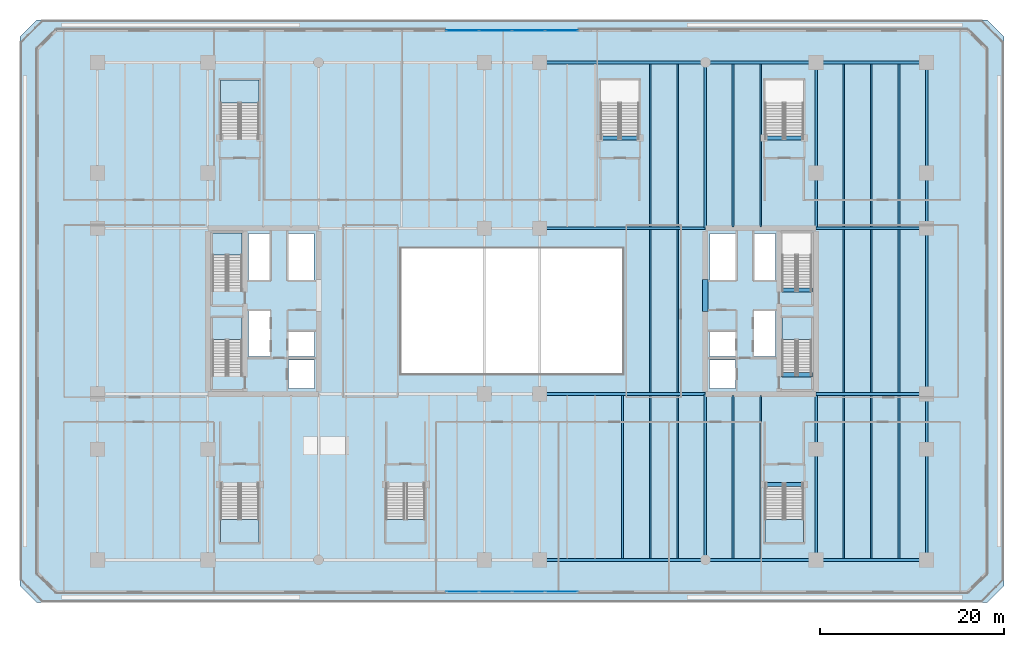
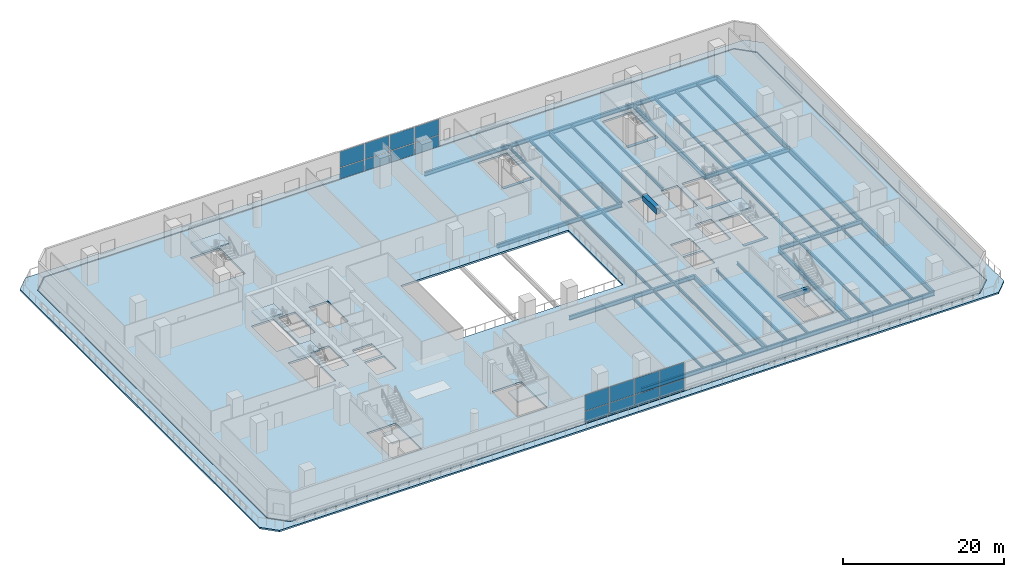
# One storey, part 8 of 27: 43 beams, 16 plates, 9 slabs, 9 elements without a shape of their own.
"""IFC4 building model written with IfcOpenShell, lengths in metres."""

from ifc_helpers import new_model, si_unit, direction, frame, origin, origin_2d, place, context, subcontext, project, spatial, polyline, rectangle, i_section, outline, extrude, material, layer, layer_set, material_profile, profile_set, type_object, element, aggregate, save


model = new_model("IFC4")

# Units and contexts
model_context = context("Model", 3, precision=1e-05, world=origin(), true_north=direction((0.0, 1.0)))
body_context = subcontext(model_context, "Body", "Model", "MODEL_VIEW")
ifc_project = project(units=[si_unit("LENGTHUNIT", "METRE"), si_unit("AREAUNIT", "SQUARE_METRE"), si_unit("VOLUMEUNIT", "CUBIC_METRE"), si_unit("PLANEANGLEUNIT", "RADIAN"), si_unit("MASSUNIT", "GRAM", prefix="KILO")], contexts=[model_context])

# Site, building, storey
site_placement = place(None, origin())
site = spatial("IfcSite", under=ifc_project, at=site_placement, CompositionType="ELEMENT")
building_placement = place(site_placement, origin())
building = spatial("IfcBuilding", under=site, at=building_placement, Name="Tanjung Sevakor Pilgrim Tower", CompositionType="ELEMENT")
storey_placement = place(building_placement, frame((0.0, 0.0, 14.85009765625)))
storey = spatial("IfcBuildingStorey", under=building, at=storey_placement, Name="L04", CompositionType="ELEMENT", Elevation=14.85009765625)

# Beams
ifc_material_1 = material(Name="Steel S355J2", Category="steel")
ifc_material_profile_1 = material_profile(ifc_material_1, i_section(OverallWidth=0.26806640625, OverallDepth=0.769775390625, WebThickness=0.015625, FlangeThickness=0.025390625, FilletRadius=0.0166015625, at=origin_2d()))
ifc_profile_set_1 = profile_set([ifc_material_profile_1], Name="Steel S355J2")
beam_type_1 = type_object("IfcBeamType", Name="BM-B-G1-UB_762x267x197", PredefinedType="BEAM", material=ifc_profile_set_1)
for number, where, z_axis, x_axis, name in (
    (1, (78.0, 6.60009765625, -0.6650390625), (0.0, 1.0, 0.0), (-1.0, 0.0, 0.0), "L04 Podium Girder NS X78-1"),
    (2, (78.0, 42.60009765625, -0.6650390625), (0.0, 1.0, 0.0), (-1.0, 0.0, 0.0), "L04 Podium Girder NS X78-2"),
    (3, (90.0, 6.60009765625, -0.6650390625), (0.0, 1.0, 0.0), (-1.0, 0.0, 0.0), "L04 Podium Girder NS X90-1"),
    (4, (90.0, 42.60009765625, -0.6650390625), (0.0, 1.0, 0.0), (-1.0, 0.0, 0.0), "L04 Podium Girder NS X90-2"),
    (5, (102.0, 6.60009765625, -0.6650390625), (0.0, 1.0, 0.0), (-1.0, 0.0, 0.0), "L04 Podium Girder NS X102-1"),
    (6, (102.0, 24.60009765625, -0.6650390625), (0.0, 1.0, 0.0), (-1.0, 0.0, 0.0), "L04 Podium Girder NS X102-2"),
    (7, (102.0, 42.60009765625, -0.6650390625), (0.0, 1.0, 0.0), (-1.0, 0.0, 0.0), "L04 Podium Girder NS X102-3"),
):
    element("IfcBeam", number, at=place(storey_placement, frame(where, z_axis=z_axis, x_axis=x_axis)), inside=storey, type_object=beam_type_1, Name=name, PredefinedType="BEAM", context=body_context, shape_type="SweptSolid", body=[
        extrude(i_section(OverallWidth=0.26806640625, OverallDepth=0.769775390625, WebThickness=0.015625, FlangeThickness=0.025390625, FilletRadius=0.0166015625, at=origin_2d()), origin(), (0.0, 0.0, 1.0), 18.0),
    ])
ifc_material_2 = material(Name="Steel S355J2", Category="steel")
ifc_material_profile_2 = material_profile(ifc_material_2, i_section(OverallWidth=0.19140625, OverallDepth=0.4599609375, WebThickness=0.010009765625, FlangeThickness=0.01611328125, FilletRadius=0.01025390625, at=origin_2d()))
ifc_profile_set_2 = profile_set([ifc_material_profile_2], Name="Steel S355J2")
beam_type_2 = type_object("IfcBeamType", Name="BM-B-J2-UB_457x191x82", PredefinedType="JOIST", material=ifc_profile_set_2)
for number, where, z_axis, x_axis, name in (
    (8, (69.0, 6.75341796875, -0.510009765625), (0.0, 1.0, 0.0), (-1.0, 0.0, 0.0), "L04 Secondary Joist 031"),
    (9, (72.0, 6.75341796875, -0.510009765625), (0.0, 1.0, 0.0), (-1.0, 0.0, 0.0), "L04 Secondary Joist 032"),
    (10, (72.0, 24.75341796875, -0.510009765625), (0.0, 1.0, 0.0), (-1.0, 0.0, 0.0), "L04 Secondary Joist 033"),
    (11, (72.0, 42.75341796875, -0.510009765625), (0.0, 1.0, 0.0), (-1.0, 0.0, 0.0), "L04 Secondary Joist 034"),
    (12, (75.0, 6.75341796875, -0.510009765625), (0.0, 1.0, 0.0), (-1.0, 0.0, 0.0), "L04 Secondary Joist 035"),
    (13, (75.0, 24.75341796875, -0.510009765625), (0.0, 1.0, 0.0), (-1.0, 0.0, 0.0), "L04 Secondary Joist 036"),
    (14, (75.0, 42.75341796875, -0.510009765625), (0.0, 1.0, 0.0), (-1.0, 0.0, 0.0), "L04 Secondary Joist 037"),
    (15, (81.0, 6.75341796875, -0.510009765625), (0.0, 1.0, 0.0), (-1.0, 0.0, 0.0), "L04 Secondary Joist 038"),
    (16, (81.0, 42.75341796875, -0.510009765625), (0.0, 1.0, 0.0), (-1.0, 0.0, 0.0), "L04 Secondary Joist 039"),
    (17, (84.0, 6.75341796875, -0.510009765625), (0.0, 1.0, 0.0), (-1.0, 0.0, 0.0), "L04 Secondary Joist 040"),
    (18, (84.0, 42.75341796875, -0.510009765625), (0.0, 1.0, 0.0), (-1.0, 0.0, 0.0), "L04 Secondary Joist 041"),
    (19, (93.0, 6.75341796875, -0.510009765625), (0.0, 1.0, 0.0), (-1.0, 0.0, 0.0), "L04 Secondary Joist 042"),
    (20, (93.0, 24.75341796875, -0.510009765625), (0.0, 1.0, 0.0), (-1.0, 0.0, 0.0), "L04 Secondary Joist 043"),
    (21, (93.0, 42.75341796875, -0.510009765625), (0.0, 1.0, 0.0), (-1.0, 0.0, 0.0), "L04 Secondary Joist 044"),
    (22, (96.0, 6.75341796875, -0.510009765625), (0.0, 1.0, 0.0), (-1.0, 0.0, 0.0), "L04 Secondary Joist 045"),
    (23, (96.0, 24.75341796875, -0.510009765625), (0.0, 1.0, 0.0), (-1.0, 0.0, 0.0), "L04 Secondary Joist 046"),
    (24, (96.0, 42.75341796875, -0.510009765625), (0.0, 1.0, 0.0), (-1.0, 0.0, 0.0), "L04 Secondary Joist 047"),
    (25, (99.0, 6.75341796875, -0.510009765625), (0.0, 1.0, 0.0), (-1.0, 0.0, 0.0), "L04 Secondary Joist 048"),
    (26, (99.0, 24.75341796875, -0.510009765625), (0.0, 1.0, 0.0), (-1.0, 0.0, 0.0), "L04 Secondary Joist 049"),
    (27, (99.0, 42.75341796875, -0.510009765625), (0.0, 1.0, 0.0), (-1.0, 0.0, 0.0), "L04 Secondary Joist 050"),
):
    element("IfcBeam", number, at=place(storey_placement, frame(where, z_axis=z_axis, x_axis=x_axis)), inside=storey, type_object=beam_type_2, Name=name, PredefinedType="JOIST", context=body_context, shape_type="SweptSolid", body=[
        extrude(i_section(OverallWidth=0.19140625, OverallDepth=0.4599609375, WebThickness=0.010009765625, FlangeThickness=0.01611328125, FilletRadius=0.01025390625, at=origin_2d()), origin(), (0.0, 0.0, 1.0), 17.693115234375),
    ])
ifc_material_3 = material(Name="Concrete C60/75", Category="concrete")
ifc_material_profile_3 = material_profile(ifc_material_3, rectangle(XDim=0.60009765625, YDim=0.89990234375, at=origin_2d()))
ifc_profile_set_3 = profile_set([ifc_material_profile_3], Name="Concrete C60/75")
beam_type_3 = type_object("IfcBeamType", Name="BM-B-LN1-RC-BM_600x900", PredefinedType="LINTEL", material=ifc_profile_set_3)
beam_1_placement = place(storey_placement, frame((78.0, 33.550048828125, 3.889892578125), z_axis=(0.0, 1.0, 0.0), x_axis=(-1.0, 0.0, 0.0)))
element("IfcBeam", 28, at=beam_1_placement, inside=storey, type_object=beam_type_3, Name="L04 E Core Coupling Lintel", PredefinedType="LINTEL", context=body_context, shape_type="SweptSolid", body=[
    extrude(rectangle(XDim=0.60009765625, YDim=0.89990234375, at=origin_2d()), origin(), (0.0, 0.0, 1.0), 3.5),
])
ifc_material_4 = material(Name="Concrete C60/75", Category="concrete")
ifc_material_profile_4 = material_profile(ifc_material_4, rectangle(XDim=0.449951171875, YDim=0.699951171875, at=origin_2d()))
ifc_profile_set_4 = profile_set([ifc_material_profile_4], Name="Concrete C60/75")
beam_type_4 = type_object("IfcBeamType", Name="BM-B-LN3-RC-BM_450x700", PredefinedType="LINTEL", material=ifc_profile_set_4)
for number, where, z_axis, x_axis, name in (
    (29, (86.199951171875, 26.699951171875, -0.35009765625), (1.0, 0.0, 0.0), (0.0, 1.0, 0.0), "L04 TS-E1 Stair Threshold Beam"),
    (30, (86.199951171875, 35.89990234375, -0.35009765625), (1.0, 0.0, 0.0), (0.0, 1.0, 0.0), "L04 TS-E2 Stair Threshold Beam"),
):
    element("IfcBeam", number, at=place(storey_placement, frame(where, z_axis=z_axis, x_axis=x_axis)), inside=storey, type_object=beam_type_4, Name=name, PredefinedType="LINTEL", context=body_context, shape_type="SweptSolid", body=[
        extrude(rectangle(XDim=0.449951171875, YDim=0.699951171875, at=origin_2d()), origin(), (0.0, 0.0, 1.0), 3.400146484375),
    ])
for number, where, z_axis, x_axis, name in (
    (31, (66.5, 52.39990234375, -0.35009765625), (1.0, 0.0, 0.0), (0.0, 1.0, 0.0), "L04 PS-4 Stair Threshold Beam"),
    (32, (84.35009765625, 14.800048828125, -0.35009765625), (1.0, 0.0, 0.0), (0.0, 1.0, 0.0), "L04 PS-5 Stair Threshold Beam"),
    (33, (84.35009765625, 52.39990234375, -0.35009765625), (1.0, 0.0, 0.0), (0.0, 1.0, 0.0), "L04 PS-6 Stair Threshold Beam"),
):
    element("IfcBeam", number, at=place(storey_placement, frame(where, z_axis=z_axis, x_axis=x_axis)), inside=storey, type_object=beam_type_4, Name=name, PredefinedType="LINTEL", context=body_context, shape_type="SweptSolid", body=[
        extrude(rectangle(XDim=0.449951171875, YDim=0.699951171875, at=origin_2d()), origin(), (0.0, 0.0, 1.0), 4.39990234375),
    ])
ifc_material_5 = material(Name="Steel S355J2", Category="steel")
ifc_material_profile_5 = material_profile(ifc_material_5, i_section(OverallWidth=0.30712890625, OverallDepth=0.6201171875, WebThickness=0.01416015625, FlangeThickness=0.023681640625, FilletRadius=0.0166015625, at=origin_2d()))
ifc_profile_set_5 = profile_set([ifc_material_profile_5], Name="Steel S355J2")
beam_type_5 = type_object("IfcBeamType", Name="BM-B-POD5-UB_610x305x179", PredefinedType="BEAM", material=ifc_profile_set_5)
beam_2_placement = place(storey_placement, frame((60.0, 6.60009765625, -0.590087890625), z_axis=(1.0, 0.0, 0.0), x_axis=(0.0, 1.0, 0.0)))
element("IfcBeam", 34, at=beam_2_placement, inside=storey, type_object=beam_type_5, Name="L04 Podium Girder EW Y6.6-5", PredefinedType="BEAM", context=body_context, shape_type="SweptSolid", body=[
    extrude(i_section(OverallWidth=0.30712890625, OverallDepth=0.6201171875, WebThickness=0.01416015625, FlangeThickness=0.023681640625, FilletRadius=0.0166015625, at=origin_2d()), origin(), (0.0, 0.0, 1.0), 18.0),
])
for number, where, z_axis, x_axis, name in (
    (35, (78.0, 6.60009765625, -0.590087890625), (1.0, 0.0, 0.0), (0.0, 1.0, 0.0), "L04 Podium Girder EW Y6.6-6"),
    (36, (90.0, 6.60009765625, -0.590087890625), (1.0, 0.0, 0.0), (0.0, 1.0, 0.0), "L04 Podium Girder EW Y6.6-7"),
):
    element("IfcBeam", number, at=place(storey_placement, frame(where, z_axis=z_axis, x_axis=x_axis)), inside=storey, type_object=beam_type_5, Name=name, PredefinedType="BEAM", context=body_context, shape_type="SweptSolid", body=[
        extrude(i_section(OverallWidth=0.30712890625, OverallDepth=0.6201171875, WebThickness=0.01416015625, FlangeThickness=0.023681640625, FilletRadius=0.0166015625, at=origin_2d()), origin(), (0.0, 0.0, 1.0), 12.0),
    ])
beam_3_placement = place(storey_placement, frame((60.0, 24.60009765625, -0.590087890625), z_axis=(1.0, 0.0, 0.0), x_axis=(0.0, 1.0, 0.0)))
element("IfcBeam", 37, at=beam_3_placement, inside=storey, type_object=beam_type_5, Name="L04 Podium Girder EW Y24.6-4", PredefinedType="BEAM", context=body_context, shape_type="SweptSolid", body=[
    extrude(i_section(OverallWidth=0.30712890625, OverallDepth=0.6201171875, WebThickness=0.01416015625, FlangeThickness=0.023681640625, FilletRadius=0.0166015625, at=origin_2d()), origin(), (0.0, 0.0, 1.0), 18.0),
])
beam_4_placement = place(storey_placement, frame((90.0, 24.60009765625, -0.590087890625), z_axis=(1.0, 0.0, 0.0), x_axis=(0.0, 1.0, 0.0)))
element("IfcBeam", 38, at=beam_4_placement, inside=storey, type_object=beam_type_5, Name="L04 Podium Girder EW Y24.6-5", PredefinedType="BEAM", context=body_context, shape_type="SweptSolid", body=[
    extrude(i_section(OverallWidth=0.30712890625, OverallDepth=0.6201171875, WebThickness=0.01416015625, FlangeThickness=0.023681640625, FilletRadius=0.0166015625, at=origin_2d()), origin(), (0.0, 0.0, 1.0), 12.0),
])
beam_5_placement = place(storey_placement, frame((60.0, 42.60009765625, -0.590087890625), z_axis=(1.0, 0.0, 0.0), x_axis=(0.0, 1.0, 0.0)))
element("IfcBeam", 39, at=beam_5_placement, inside=storey, type_object=beam_type_5, Name="L04 Podium Girder EW Y42.6-4", PredefinedType="BEAM", context=body_context, shape_type="SweptSolid", body=[
    extrude(i_section(OverallWidth=0.30712890625, OverallDepth=0.6201171875, WebThickness=0.01416015625, FlangeThickness=0.023681640625, FilletRadius=0.0166015625, at=origin_2d()), origin(), (0.0, 0.0, 1.0), 18.0),
])
beam_6_placement = place(storey_placement, frame((90.0, 42.60009765625, -0.590087890625), z_axis=(1.0, 0.0, 0.0), x_axis=(0.0, 1.0, 0.0)))
element("IfcBeam", 40, at=beam_6_placement, inside=storey, type_object=beam_type_5, Name="L04 Podium Girder EW Y42.6-5", PredefinedType="BEAM", context=body_context, shape_type="SweptSolid", body=[
    extrude(i_section(OverallWidth=0.30712890625, OverallDepth=0.6201171875, WebThickness=0.01416015625, FlangeThickness=0.023681640625, FilletRadius=0.0166015625, at=origin_2d()), origin(), (0.0, 0.0, 1.0), 12.0),
])
beam_7_placement = place(storey_placement, frame((60.0, 60.60009765625, -0.590087890625), z_axis=(1.0, 0.0, 0.0), x_axis=(0.0, 1.0, 0.0)))
element("IfcBeam", 41, at=beam_7_placement, inside=storey, type_object=beam_type_5, Name="L04 Podium Girder EW Y60.6-5", PredefinedType="BEAM", context=body_context, shape_type="SweptSolid", body=[
    extrude(i_section(OverallWidth=0.30712890625, OverallDepth=0.6201171875, WebThickness=0.01416015625, FlangeThickness=0.023681640625, FilletRadius=0.0166015625, at=origin_2d()), origin(), (0.0, 0.0, 1.0), 18.0),
])
for number, where, z_axis, x_axis, name in (
    (42, (78.0, 60.60009765625, -0.590087890625), (1.0, 0.0, 0.0), (0.0, 1.0, 0.0), "L04 Podium Girder EW Y60.6-6"),
    (43, (90.0, 60.60009765625, -0.590087890625), (1.0, 0.0, 0.0), (0.0, 1.0, 0.0), "L04 Podium Girder EW Y60.6-7"),
):
    element("IfcBeam", number, at=place(storey_placement, frame(where, z_axis=z_axis, x_axis=x_axis)), inside=storey, type_object=beam_type_5, Name=name, PredefinedType="BEAM", context=body_context, shape_type="SweptSolid", body=[
        extrude(i_section(OverallWidth=0.30712890625, OverallDepth=0.6201171875, WebThickness=0.01416015625, FlangeThickness=0.023681640625, FilletRadius=0.0166015625, at=origin_2d()), origin(), (0.0, 0.0, 1.0), 12.0),
    ])

# Stair, slab
ifc_material_6 = material(Name="Concrete C40/50", Category="concrete")
stair_type_1 = type_object("IfcStairType", Name="STAIR-ST-CR150", PredefinedType="HALF_TURN_STAIR", material=ifc_material_6)
stair_1_placement = place(storey_placement, origin())
stair_1 = element("IfcStair", 44, at=stair_1_placement, inside=storey, type_object=stair_type_1, Name="L04 West Core Exit Stair 1", PredefinedType="HALF_TURN_STAIR")
ifc_material_7 = material(Name="Concrete C40/50", Category="concrete")
ifc_layer_1 = layer(ifc_material_7, 0.199951171875)
ifc_layer_set_1 = layer_set([ifc_layer_1], Name="SL-LAND-200")
slab_type_1 = type_object("IfcSlabType", Name="SL-LAND-200", PredefinedType="LANDING", material=ifc_layer_set_1)
slab_1_placement = place(storey_placement, frame((0.0, 0.0, 2.10986328125)))
slab_1 = element("IfcSlab", 45, at=slab_1_placement, type_object=slab_type_1, Name="TS-W1 landing 1", PredefinedType="LANDING", context=body_context, shape_type="SweptSolid", body=[
    extrude(outline(polyline([(27.699951171875, 30.5), (27.699951171875, 32.89990234375), (24.5, 32.89990234375), (24.5, 30.5), (27.699951171875, 30.5)])), origin(), (0.0, 0.0, 1.0), 0.199951171875),
])
aggregate(stair_1, [slab_1])

stair_2_placement = place(storey_placement, origin())
stair_2 = element("IfcStair", 46, at=stair_2_placement, inside=storey, type_object=stair_type_1, Name="L04 West Core Exit Stair 2", PredefinedType="HALF_TURN_STAIR")
slab_2_placement = place(storey_placement, frame((0.0, 0.0, 2.10986328125)))
slab_2 = element("IfcSlab", 47, at=slab_2_placement, type_object=slab_type_1, Name="TS-W2 landing 1", PredefinedType="LANDING", context=body_context, shape_type="SweptSolid", body=[
    extrude(outline(polyline([(27.699951171875, 39.699951171875), (27.699951171875, 42.10009765625), (24.5, 42.10009765625), (24.5, 39.699951171875), (27.699951171875, 39.699951171875)])), origin(), (0.0, 0.0, 1.0), 0.199951171875),
])
aggregate(stair_2, [slab_2])

stair_3_placement = place(storey_placement, origin())
stair_3 = element("IfcStair", 48, at=stair_3_placement, inside=storey, type_object=stair_type_1, Name="L04 East Core Exit Stair 1", PredefinedType="HALF_TURN_STAIR")
slab_3_placement = place(storey_placement, frame((0.0, 0.0, 2.10986328125)))
slab_3 = element("IfcSlab", 49, at=slab_3_placement, type_object=slab_type_1, Name="TS-E1 landing 1", PredefinedType="LANDING", context=body_context, shape_type="SweptSolid", body=[
    extrude(outline(polyline([(89.5, 30.5), (89.5, 32.89990234375), (86.300048828125, 32.89990234375), (86.300048828125, 30.5), (89.5, 30.5)])), origin(), (0.0, 0.0, 1.0), 0.199951171875),
])
aggregate(stair_3, [slab_3])

ifc_material_8 = material(Name="Concrete C40/50", Category="concrete")
stair_type_2 = type_object("IfcStairType", Name="STAIR-ST-PD200", PredefinedType="HALF_TURN_STAIR", material=ifc_material_8)
stair_4_placement = place(storey_placement, origin())
stair_4 = element("IfcStair", 50, at=stair_4_placement, inside=storey, type_object=stair_type_2, Name="L04 Podium South-West Assembly Stair", PredefinedType="HALF_TURN_STAIR")
slab_4_placement = place(storey_placement, frame((0.0, 0.0, 2.10986328125)))
slab_4 = element("IfcSlab", 51, at=slab_4_placement, type_object=slab_type_1, Name="PS-1 landing 1", PredefinedType="LANDING", context=body_context, shape_type="SweptSolid", body=[
    extrude(outline(polyline([(25.35009765625, 11.0), (25.35009765625, 8.5), (29.550048828125, 8.5), (29.550048828125, 11.0), (25.35009765625, 11.0)])), origin(), (0.0, 0.0, 1.0), 0.199951171875),
])
aggregate(stair_4, [slab_4])

stair_5_placement = place(storey_placement, origin())
stair_5 = element("IfcStair", 52, at=stair_5_placement, inside=storey, type_object=stair_type_2, Name="L04 Podium North-West Assembly Stair", PredefinedType="HALF_TURN_STAIR")
slab_5_placement = place(storey_placement, frame((0.0, 0.0, 2.10986328125)))
slab_5 = element("IfcSlab", 53, at=slab_5_placement, type_object=slab_type_1, Name="PS-2 landing 1", PredefinedType="LANDING", context=body_context, shape_type="SweptSolid", body=[
    extrude(outline(polyline([(29.550048828125, 56.199951171875), (29.550048828125, 58.699951171875), (25.35009765625, 58.699951171875), (25.35009765625, 56.199951171875), (29.550048828125, 56.199951171875)])), origin(), (0.0, 0.0, 1.0), 0.199951171875),
])
aggregate(stair_5, [slab_5])

stair_6_placement = place(storey_placement, origin())
stair_6 = element("IfcStair", 54, at=stair_6_placement, inside=storey, type_object=stair_type_2, Name="L04 Podium South-Central Assembly Stair", PredefinedType="HALF_TURN_STAIR")
slab_6_placement = place(storey_placement, frame((0.0, 0.0, 2.10986328125)))
slab_6 = element("IfcSlab", 55, at=slab_6_placement, type_object=slab_type_1, Name="PS-3 landing 1", PredefinedType="LANDING", context=body_context, shape_type="SweptSolid", body=[
    extrude(outline(polyline([(43.35009765625, 11.0), (43.35009765625, 8.5), (47.550048828125, 8.5), (47.550048828125, 11.0), (43.35009765625, 11.0)])), origin(), (0.0, 0.0, 1.0), 0.199951171875),
])
aggregate(stair_6, [slab_6])

stair_7_placement = place(storey_placement, origin())
stair_7 = element("IfcStair", 56, at=stair_7_placement, inside=storey, type_object=stair_type_2, Name="L04 Podium South-East Assembly Stair", PredefinedType="HALF_TURN_STAIR")
slab_7_placement = place(storey_placement, frame((0.0, 0.0, 2.10986328125)))
slab_7 = element("IfcSlab", 57, at=slab_7_placement, type_object=slab_type_1, Name="PS-5 landing 1", PredefinedType="LANDING", context=body_context, shape_type="SweptSolid", body=[
    extrude(outline(polyline([(84.449951171875, 11.0), (84.449951171875, 8.5), (88.64990234375, 8.5), (88.64990234375, 11.0), (84.449951171875, 11.0)])), origin(), (0.0, 0.0, 1.0), 0.199951171875),
])
aggregate(stair_7, [slab_7])

# Slabs
ifc_material_9 = material(Name="Concrete C40/50", Category="concrete")
ifc_layer_2 = layer(ifc_material_9, 0.280029296875)
ifc_layer_set_2 = layer_set([ifc_layer_2], Name="SL-POD-280")
slab_type_2 = type_object("IfcSlabType", Name="SL-POD-280", PredefinedType="FLOOR", material=ifc_layer_set_2)
slab_8_placement = place(storey_placement, frame((0.0, 0.0, -0.280029296875)))
element("IfcSlab", 58, at=slab_8_placement, inside=storey, type_object=slab_type_2, Name="L04 Floor Slab MAIN", PredefinedType="FLOOR", context=body_context, shape_type="SweptSolid", body=[
    extrude(outline(polyline([(7.546875, 3.080078125), (106.453125, 3.080078125), (108.52001953125, 5.14697265625), (108.52001953125, 62.052978515625), (106.453125, 64.1201171875), (7.546875, 64.1201171875), (5.47998046875, 62.052978515625), (5.47998046875, 5.14697265625), (7.546875, 3.080078125)]), holes=[polyline([(27.699951171875, 26.60009765625), (27.699951171875, 32.89990234375), (24.5, 32.89990234375), (24.5, 26.60009765625), (27.699951171875, 26.60009765625)]), polyline([(27.699951171875, 35.800048828125), (27.699951171875, 42.10009765625), (24.5, 42.10009765625), (24.5, 35.800048828125), (27.699951171875, 35.800048828125)]), polyline([(89.5, 26.60009765625), (89.5, 32.89990234375), (86.300048828125, 32.89990234375), (86.300048828125, 26.60009765625), (89.5, 26.60009765625)]), polyline([(89.5, 35.800048828125), (89.5, 42.10009765625), (86.300048828125, 42.10009765625), (86.300048828125, 35.800048828125), (89.5, 35.800048828125)]), polyline([(25.35009765625, 14.89990234375), (25.35009765625, 8.5), (29.550048828125, 8.5), (29.550048828125, 14.89990234375), (25.35009765625, 14.89990234375)]), polyline([(29.550048828125, 52.300048828125), (29.550048828125, 58.699951171875), (25.35009765625, 58.699951171875), (25.35009765625, 52.300048828125), (29.550048828125, 52.300048828125)]), polyline([(43.35009765625, 14.89990234375), (43.35009765625, 8.5), (47.550048828125, 8.5), (47.550048828125, 14.89990234375), (43.35009765625, 14.89990234375)]), polyline([(70.800048828125, 52.300048828125), (70.800048828125, 58.699951171875), (66.60009765625, 58.699951171875), (66.60009765625, 52.300048828125), (70.800048828125, 52.300048828125)]), polyline([(84.449951171875, 14.89990234375), (84.449951171875, 8.5), (88.64990234375, 8.5), (88.64990234375, 14.89990234375), (84.449951171875, 14.89990234375)]), polyline([(88.64990234375, 52.300048828125), (88.64990234375, 58.699951171875), (84.449951171875, 58.699951171875), (84.449951171875, 52.300048828125), (88.64990234375, 52.300048828125)]), polyline([(32.75, 25.199951171875), (35.550048828125, 25.199951171875), (35.550048828125, 28.300048828125), (32.75, 28.300048828125), (32.75, 25.199951171875)]), polyline([(32.75, 28.699951171875), (35.550048828125, 28.699951171875), (35.550048828125, 31.35009765625), (32.75, 31.35009765625), (32.75, 28.699951171875)]), polyline([(28.39990234375, 28.699951171875), (30.75, 28.699951171875), (30.75, 33.60009765625), (28.39990234375, 33.60009765625), (28.39990234375, 28.699951171875)]), polyline([(28.39990234375, 37.0), (30.75, 37.0), (30.75, 42.050048828125), (28.39990234375, 42.050048828125), (28.39990234375, 37.0)]), polyline([(32.75, 37.0), (35.5, 37.0), (35.5, 42.050048828125), (32.75, 42.050048828125), (32.75, 37.0)]), polyline([(78.449951171875, 25.199951171875), (81.25, 25.199951171875), (81.25, 28.300048828125), (78.449951171875, 28.300048828125), (78.449951171875, 25.199951171875)]), polyline([(78.449951171875, 28.699951171875), (81.25, 28.699951171875), (81.25, 31.35009765625), (78.449951171875, 31.35009765625), (78.449951171875, 28.699951171875)]), polyline([(83.25, 28.699951171875), (85.60009765625, 28.699951171875), (85.60009765625, 33.60009765625), (83.25, 33.60009765625), (83.25, 28.699951171875)]), polyline([(83.25, 37.0), (85.60009765625, 37.0), (85.60009765625, 42.050048828125), (83.25, 42.050048828125), (83.25, 37.0)]), polyline([(78.5, 37.0), (81.25, 37.0), (81.25, 42.050048828125), (78.5, 42.050048828125), (78.5, 37.0)]), polyline([(45.0, 26.800048828125), (69.0, 26.800048828125), (69.0, 40.39990234375), (45.0, 40.39990234375), (45.0, 26.800048828125)])]), origin(), (0.0, 0.0, 1.0), 0.280029296875),
])
ifc_material_10 = material(Name="Concrete C40/50", Category="concrete")
ifc_layer_3 = layer(ifc_material_10, 0.239990234375)
ifc_layer_set_3 = layer_set([ifc_layer_3], Name="SL-TER-240")
slab_type_3 = type_object("IfcSlabType", Name="SL-TER-240", PredefinedType="FLOOR", material=ifc_layer_set_3)
slab_9_placement = place(storey_placement, frame((0.0, 0.0, -0.239990234375)))
element("IfcSlab", 59, at=slab_9_placement, inside=storey, type_object=slab_type_3, Name="L04 Cascade Garden Terrace Ring", PredefinedType="FLOOR", context=body_context, shape_type="SweptSolid", body=[
    extrude(outline(polyline([(5.39990234375, 2.0), (108.60009765625, 2.0), (110.39990234375, 3.800048828125), (110.39990234375, 63.39990234375), (108.60009765625, 65.199951171875), (5.39990234375, 65.199951171875), (3.60009765625, 63.39990234375), (3.60009765625, 3.800048828125), (5.39990234375, 2.0)]), holes=[polyline([(7.48828125, 2.97998046875), (106.51171875, 2.97998046875), (108.6201171875, 5.08837890625), (108.6201171875, 62.11181640625), (106.51171875, 64.219970703125), (7.48828125, 64.219970703125), (5.3798828125, 62.11181640625), (5.3798828125, 5.08837890625), (7.48828125, 2.97998046875)])]), origin(), (0.0, 0.0, 1.0), 0.239990234375),
])

# Curtain wall, plates
ifc_material_11 = material(Name="Aluminium 6063-T6 and Low-E Glass", Category="aluminium")
ifc_layer_4 = layer(ifc_material_11, 0.179931640625)
ifc_layer_set_4 = layer_set([ifc_layer_4], Name="CW-SYS-POD")
curtain_wall_type = type_object("IfcCurtainWallType", Name="CW-SYS-POD", PredefinedType="NOTDEFINED", material=ifc_layer_set_4)
curtain_wall_1_placement = place(storey_placement, origin())
curtain_wall_1 = element("IfcCurtainWall", 60, at=curtain_wall_1_placement, inside=storey, type_object=curtain_wall_type, Name="L04 Curtain Wall CW-POD-L04-S", PredefinedType="NOTDEFINED")
ifc_material_12 = material(Name="Laminated Low-E Double Glazing", Category="glass")
ifc_layer_5 = layer(ifc_material_12, 0.028076171875)
ifc_layer_set_5 = layer_set([ifc_layer_5], Name="TYPE-CWP-GLZ1")
plate_type = type_object("IfcPlateType", Name="TYPE-CWP-GLZ1", PredefinedType="CURTAIN_PANEL", material=ifc_layer_set_5)
plate_1_placement = place(storey_placement, frame((51.6201171875, 3.139892578125, 0.080078125), z_axis=(0.0, 0.0, 1.0), x_axis=(1.0, 0.0, 0.0)))
plate_1 = element("IfcPlate", 61, at=plate_1_placement, type_object=plate_type, Name="CW-POD panel 1.1", PredefinedType="CURTAIN_PANEL", context=body_context, shape_type="SweptSolid", body=[
    extrude(rectangle(XDim=3.47998046875, YDim=0.028076171875, at=origin_2d()), origin(), (0.0, 0.0, 1.0), 1.702880859375),
])
plate_2_placement = place(storey_placement, frame((51.6201171875, 3.139892578125, 1.86279296875), z_axis=(0.0, 0.0, 1.0), x_axis=(1.0, 0.0, 0.0)))
plate_2 = element("IfcPlate", 62, at=plate_2_placement, type_object=plate_type, Name="CW-POD panel 1.2", PredefinedType="CURTAIN_PANEL", context=body_context, shape_type="SweptSolid", body=[
    extrude(rectangle(XDim=3.47998046875, YDim=0.028076171875, at=origin_2d()), origin(), (0.0, 0.0, 1.0), 2.397216796875),
])
plate_3_placement = place(storey_placement, frame((55.199951171875, 3.139892578125, 0.080078125), z_axis=(0.0, 0.0, 1.0), x_axis=(1.0, 0.0, 0.0)))
plate_3 = element("IfcPlate", 63, at=plate_3_placement, type_object=plate_type, Name="CW-POD panel 2.1", PredefinedType="CURTAIN_PANEL", context=body_context, shape_type="SweptSolid", body=[
    extrude(rectangle(XDim=3.52001953125, YDim=0.028076171875, at=origin_2d()), origin(), (0.0, 0.0, 1.0), 1.702880859375),
])
plate_4_placement = place(storey_placement, frame((55.199951171875, 3.139892578125, 1.86279296875), z_axis=(0.0, 0.0, 1.0), x_axis=(1.0, 0.0, 0.0)))
plate_4 = element("IfcPlate", 64, at=plate_4_placement, type_object=plate_type, Name="CW-POD panel 2.2", PredefinedType="CURTAIN_PANEL", context=body_context, shape_type="SweptSolid", body=[
    extrude(rectangle(XDim=3.52001953125, YDim=0.028076171875, at=origin_2d()), origin(), (0.0, 0.0, 1.0), 2.397216796875),
])
plate_5_placement = place(storey_placement, frame((58.800048828125, 3.139892578125, 0.080078125), z_axis=(0.0, 0.0, 1.0), x_axis=(1.0, 0.0, 0.0)))
plate_5 = element("IfcPlate", 65, at=plate_5_placement, type_object=plate_type, Name="CW-POD panel 3.1", PredefinedType="CURTAIN_PANEL", context=body_context, shape_type="SweptSolid", body=[
    extrude(rectangle(XDim=3.52001953125, YDim=0.028076171875, at=origin_2d()), origin(), (0.0, 0.0, 1.0), 1.702880859375),
])
plate_6_placement = place(storey_placement, frame((58.800048828125, 3.139892578125, 1.86279296875), z_axis=(0.0, 0.0, 1.0), x_axis=(1.0, 0.0, 0.0)))
plate_6 = element("IfcPlate", 66, at=plate_6_placement, type_object=plate_type, Name="CW-POD panel 3.2", PredefinedType="CURTAIN_PANEL", context=body_context, shape_type="SweptSolid", body=[
    extrude(rectangle(XDim=3.52001953125, YDim=0.028076171875, at=origin_2d()), origin(), (0.0, 0.0, 1.0), 2.397216796875),
])
plate_7_placement = place(storey_placement, frame((62.3798828125, 3.139892578125, 0.080078125), z_axis=(0.0, 0.0, 1.0), x_axis=(1.0, 0.0, 0.0)))
plate_7 = element("IfcPlate", 67, at=plate_7_placement, type_object=plate_type, Name="CW-POD panel 4.1", PredefinedType="CURTAIN_PANEL", context=body_context, shape_type="SweptSolid", body=[
    extrude(rectangle(XDim=3.47998046875, YDim=0.028076171875, at=origin_2d()), origin(), (0.0, 0.0, 1.0), 1.702880859375),
])
plate_8_placement = place(storey_placement, frame((62.3798828125, 3.139892578125, 1.86279296875), z_axis=(0.0, 0.0, 1.0), x_axis=(1.0, 0.0, 0.0)))
plate_8 = element("IfcPlate", 68, at=plate_8_placement, type_object=plate_type, Name="CW-POD panel 4.2", PredefinedType="CURTAIN_PANEL", context=body_context, shape_type="SweptSolid", body=[
    extrude(rectangle(XDim=3.47998046875, YDim=0.028076171875, at=origin_2d()), origin(), (0.0, 0.0, 1.0), 2.397216796875),
])
aggregate(curtain_wall_1, [plate_1, plate_2, plate_3, plate_4, plate_5, plate_6, plate_7, plate_8])

curtain_wall_2_placement = place(storey_placement, origin())
curtain_wall_2 = element("IfcCurtainWall", 69, at=curtain_wall_2_placement, inside=storey, type_object=curtain_wall_type, Name="L04 Curtain Wall CW-POD-L04-N", PredefinedType="NOTDEFINED")
plate_9_placement = place(storey_placement, frame((62.3798828125, 64.06005859375, 0.080078125), z_axis=(0.0, 0.0, 1.0), x_axis=(-1.0, 0.0, 0.0)))
plate_9 = element("IfcPlate", 70, at=plate_9_placement, type_object=plate_type, Name="CW-POD panel 1.1", PredefinedType="CURTAIN_PANEL", context=body_context, shape_type="SweptSolid", body=[
    extrude(rectangle(XDim=3.47998046875, YDim=0.028076171875, at=origin_2d()), origin(), (0.0, 0.0, 1.0), 1.702880859375),
])
plate_10_placement = place(storey_placement, frame((62.3798828125, 64.06005859375, 1.86279296875), z_axis=(0.0, 0.0, 1.0), x_axis=(-1.0, 0.0, 0.0)))
plate_10 = element("IfcPlate", 71, at=plate_10_placement, type_object=plate_type, Name="CW-POD panel 1.2", PredefinedType="CURTAIN_PANEL", context=body_context, shape_type="SweptSolid", body=[
    extrude(rectangle(XDim=3.47998046875, YDim=0.028076171875, at=origin_2d()), origin(), (0.0, 0.0, 1.0), 2.397216796875),
])
plate_11_placement = place(storey_placement, frame((58.800048828125, 64.06005859375, 0.080078125), z_axis=(0.0, 0.0, 1.0), x_axis=(-1.0, 0.0, 0.0)))
plate_11 = element("IfcPlate", 72, at=plate_11_placement, type_object=plate_type, Name="CW-POD panel 2.1", PredefinedType="CURTAIN_PANEL", context=body_context, shape_type="SweptSolid", body=[
    extrude(rectangle(XDim=3.52001953125, YDim=0.028076171875, at=origin_2d()), origin(), (0.0, 0.0, 1.0), 1.702880859375),
])
plate_12_placement = place(storey_placement, frame((58.800048828125, 64.06005859375, 1.86279296875), z_axis=(0.0, 0.0, 1.0), x_axis=(-1.0, 0.0, 0.0)))
plate_12 = element("IfcPlate", 73, at=plate_12_placement, type_object=plate_type, Name="CW-POD panel 2.2", PredefinedType="CURTAIN_PANEL", context=body_context, shape_type="SweptSolid", body=[
    extrude(rectangle(XDim=3.52001953125, YDim=0.028076171875, at=origin_2d()), origin(), (0.0, 0.0, 1.0), 2.397216796875),
])
plate_13_placement = place(storey_placement, frame((55.199951171875, 64.06005859375, 0.080078125), z_axis=(0.0, 0.0, 1.0), x_axis=(-1.0, 0.0, 0.0)))
plate_13 = element("IfcPlate", 74, at=plate_13_placement, type_object=plate_type, Name="CW-POD panel 3.1", PredefinedType="CURTAIN_PANEL", context=body_context, shape_type="SweptSolid", body=[
    extrude(rectangle(XDim=3.52001953125, YDim=0.028076171875, at=origin_2d()), origin(), (0.0, 0.0, 1.0), 1.702880859375),
])
plate_14_placement = place(storey_placement, frame((55.199951171875, 64.06005859375, 1.86279296875), z_axis=(0.0, 0.0, 1.0), x_axis=(-1.0, 0.0, 0.0)))
plate_14 = element("IfcPlate", 75, at=plate_14_placement, type_object=plate_type, Name="CW-POD panel 3.2", PredefinedType="CURTAIN_PANEL", context=body_context, shape_type="SweptSolid", body=[
    extrude(rectangle(XDim=3.52001953125, YDim=0.028076171875, at=origin_2d()), origin(), (0.0, 0.0, 1.0), 2.397216796875),
])
plate_15_placement = place(storey_placement, frame((51.6201171875, 64.06005859375, 0.080078125), z_axis=(0.0, 0.0, 1.0), x_axis=(-1.0, 0.0, 0.0)))
plate_15 = element("IfcPlate", 76, at=plate_15_placement, type_object=plate_type, Name="CW-POD panel 4.1", PredefinedType="CURTAIN_PANEL", context=body_context, shape_type="SweptSolid", body=[
    extrude(rectangle(XDim=3.47998046875, YDim=0.028076171875, at=origin_2d()), origin(), (0.0, 0.0, 1.0), 1.702880859375),
])
plate_16_placement = place(storey_placement, frame((51.6201171875, 64.06005859375, 1.86279296875), z_axis=(0.0, 0.0, 1.0), x_axis=(-1.0, 0.0, 0.0)))
plate_16 = element("IfcPlate", 77, at=plate_16_placement, type_object=plate_type, Name="CW-POD panel 4.2", PredefinedType="CURTAIN_PANEL", context=body_context, shape_type="SweptSolid", body=[
    extrude(rectangle(XDim=3.47998046875, YDim=0.028076171875, at=origin_2d()), origin(), (0.0, 0.0, 1.0), 2.397216796875),
])
aggregate(curtain_wall_2, [plate_9, plate_10, plate_11, plate_12, plate_13, plate_14, plate_15, plate_16])

save(model, "model.ifc")
